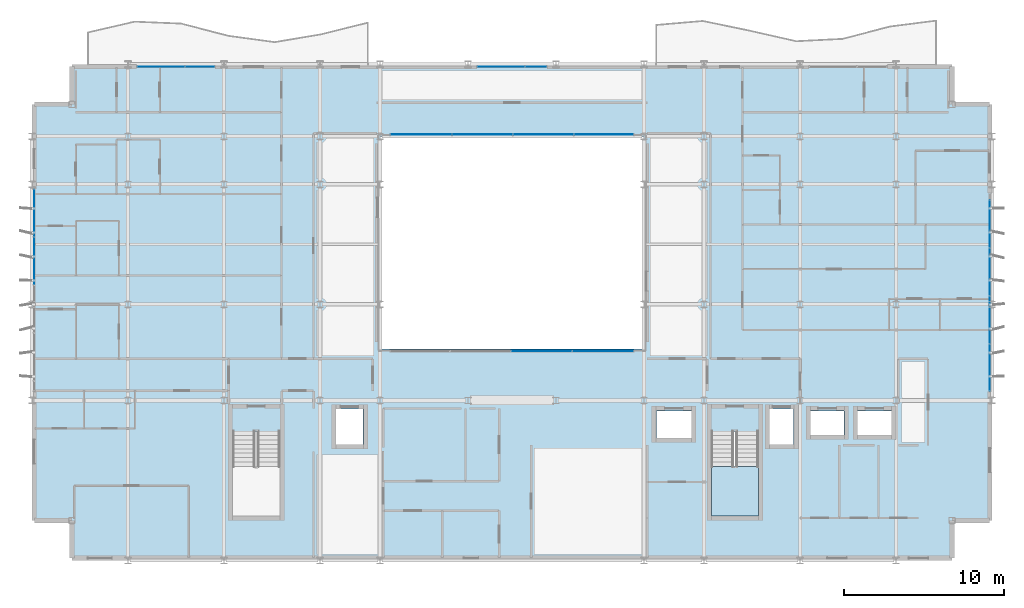
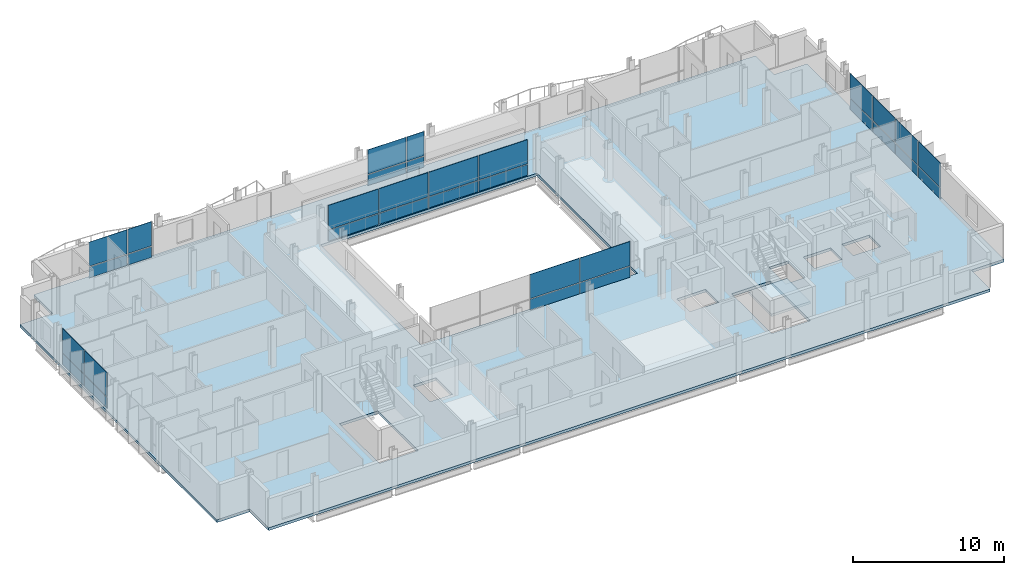
# One storey, part 25 of 40: 32 plates, 2 slabs, 7 elements without a shape of their own.
"""IFC4 building model written with IfcOpenShell, lengths in metres."""

from ifc_helpers import new_model, si_unit, direction, frame, origin, origin_2d, place, context, subcontext, project, spatial, polyline, rectangle, outline, extrude, material, layer, layer_set, type_object, element, aggregate, save


model = new_model("IFC4")

# Units and contexts
model_context = context("Model", 3, precision=1e-05, world=origin(), true_north=direction((0.0, 1.0)))
body_context = subcontext(model_context, "Body", "Model", "MODEL_VIEW")
ifc_project = project(units=[si_unit("LENGTHUNIT", "METRE"), si_unit("AREAUNIT", "SQUARE_METRE"), si_unit("VOLUMEUNIT", "CUBIC_METRE"), si_unit("PLANEANGLEUNIT", "RADIAN"), si_unit("MASSUNIT", "GRAM", prefix="KILO")], contexts=[model_context])

# Site, building, storey
site_placement = place(None, origin())
site = spatial("IfcSite", under=ifc_project, at=site_placement, CompositionType="ELEMENT")
building_placement = place(site_placement, origin())
building = spatial("IfcBuilding", under=site, at=building_placement, Name="Brevholm Reach", CompositionType="ELEMENT")
storey_placement = place(building_placement, frame((0.0, 0.0, 148.0)))
storey = spatial("IfcBuildingStorey", under=building, at=storey_placement, Name="L44", CompositionType="ELEMENT", Elevation=148.0)

# Curtain wall, plates
ifc_material_1 = material(Name="Dark Anodised Aluminium 6063-T6 and Solar-Control Glass", Category="aluminium")
ifc_layer_1 = layer(ifc_material_1, 0.14990234375)
ifc_layer_set_1 = layer_set([ifc_layer_1], Name="Dark Anodised Aluminium 6063-T6 and Solar-Control Glass")
curtain_wall_type_1 = type_object("IfcCurtainWallType", Name="CW-01", PredefinedType="NOTDEFINED", material=ifc_layer_set_1)
curtain_wall_1_placement = place(storey_placement, origin())
curtain_wall_1 = element("IfcCurtainWall", 1, at=curtain_wall_1_placement, inside=storey, type_object=curtain_wall_type_1, Name="L44 Curtain Wall CW-01", PredefinedType="NOTDEFINED")
ifc_material_2 = material(Name="Dark Solar-Control Double-Glazed IGU Glass", Category="glass")
ifc_layer_2 = layer(ifc_material_2, 0.028076171875)
ifc_layer_set_2 = layer_set([ifc_layer_2], Name="Dark Solar-Control Double-Glazed IGU Glass")
plate_type_1 = type_object("IfcPlateType", Name="CWP-GLZ-28", PredefinedType="CURTAIN_PANEL", material=ifc_layer_set_2)
plate_1_placement = place(storey_placement, frame((0.14990234375, 21.703857421875, 0.0), z_axis=(0.0, 0.0, 1.0), x_axis=(0.0, -1.0, 0.0)))
plate_1 = element("IfcPlate", 2, at=plate_1_placement, type_object=plate_type_1, Name="CP-01 Glazing Panel 1.1", PredefinedType="CURTAIN_PANEL", context=body_context, shape_type="SweptSolid", body=[
    extrude(rectangle(XDim=2.902587890625, YDim=0.028076171875, at=origin_2d()), origin(), (0.0, 0.0, 1.0), 0.867431640625),
])
plate_2_placement = place(storey_placement, frame((0.14990234375, 21.703857421875, 0.9326171875), z_axis=(0.0, 0.0, 1.0), x_axis=(0.0, -1.0, 0.0)))
plate_2 = element("IfcPlate", 3, at=plate_2_placement, type_object=plate_type_1, Name="CP-01 Glazing Panel 1.2", PredefinedType="CURTAIN_PANEL", context=body_context, shape_type="SweptSolid", body=[
    extrude(rectangle(XDim=2.902587890625, YDim=0.028076171875, at=origin_2d()), origin(), (0.0, 0.0, 1.0), 1.947509765625),
])
plate_3_placement = place(storey_placement, frame((0.14990234375, 18.719970703125, 0.0), z_axis=(0.0, 0.0, 1.0), x_axis=(0.0, -1.0, 0.0)))
plate_3 = element("IfcPlate", 4, at=plate_3_placement, type_object=plate_type_1, Name="CP-01 Glazing Panel 2.1", PredefinedType="CURTAIN_PANEL", context=body_context, shape_type="SweptSolid", body=[
    extrude(rectangle(XDim=2.93505859375, YDim=0.028076171875, at=origin_2d()), origin(), (0.0, 0.0, 1.0), 0.867431640625),
])
plate_4_placement = place(storey_placement, frame((0.14990234375, 18.719970703125, 0.9326171875), z_axis=(0.0, 0.0, 1.0), x_axis=(0.0, -1.0, 0.0)))
plate_4 = element("IfcPlate", 5, at=plate_4_placement, type_object=plate_type_1, Name="CP-01 Glazing Panel 2.2", PredefinedType="CURTAIN_PANEL", context=body_context, shape_type="SweptSolid", body=[
    extrude(rectangle(XDim=2.93505859375, YDim=0.028076171875, at=origin_2d()), origin(), (0.0, 0.0, 1.0), 1.947509765625),
])
aggregate(curtain_wall_1, [plate_1, plate_2, plate_3, plate_4])

curtain_wall_2_placement = place(storey_placement, origin())
curtain_wall_2 = element("IfcCurtainWall", 6, at=curtain_wall_2_placement, inside=storey, type_object=curtain_wall_type_1, Name="L44 Curtain Wall CW-01", PredefinedType="NOTDEFINED")
plate_5_placement = place(storey_placement, frame((59.85009765625, 12.066162109375, 0.0), z_axis=(0.0, 0.0, 1.0), x_axis=(0.0, 1.0, 0.0)))
plate_5 = element("IfcPlate", 7, at=plate_5_placement, type_object=plate_type_1, Name="CP-01 Glazing Panel 1.1", PredefinedType="CURTAIN_PANEL", context=body_context, shape_type="SweptSolid", body=[
    extrude(rectangle(XDim=2.902587890625, YDim=0.028076171875, at=origin_2d()), origin(), (0.0, 0.0, 1.0), 0.867431640625),
])
plate_6_placement = place(storey_placement, frame((59.85009765625, 12.066162109375, 0.9326171875), z_axis=(0.0, 0.0, 1.0), x_axis=(0.0, 1.0, 0.0)))
plate_6 = element("IfcPlate", 8, at=plate_6_placement, type_object=plate_type_1, Name="CP-01 Glazing Panel 1.2", PredefinedType="CURTAIN_PANEL", context=body_context, shape_type="SweptSolid", body=[
    extrude(rectangle(XDim=2.902587890625, YDim=0.028076171875, at=origin_2d()), origin(), (0.0, 0.0, 1.0), 1.947509765625),
])
plate_7_placement = place(storey_placement, frame((59.85009765625, 15.050048828125, 0.0), z_axis=(0.0, 0.0, 1.0), x_axis=(0.0, 1.0, 0.0)))
plate_7 = element("IfcPlate", 9, at=plate_7_placement, type_object=plate_type_1, Name="CP-01 Glazing Panel 2.1", PredefinedType="CURTAIN_PANEL", context=body_context, shape_type="SweptSolid", body=[
    extrude(rectangle(XDim=2.93505859375, YDim=0.028076171875, at=origin_2d()), origin(), (0.0, 0.0, 1.0), 0.867431640625),
])
plate_8_placement = place(storey_placement, frame((59.85009765625, 15.050048828125, 0.9326171875), z_axis=(0.0, 0.0, 1.0), x_axis=(0.0, 1.0, 0.0)))
plate_8 = element("IfcPlate", 10, at=plate_8_placement, type_object=plate_type_1, Name="CP-01 Glazing Panel 2.2", PredefinedType="CURTAIN_PANEL", context=body_context, shape_type="SweptSolid", body=[
    extrude(rectangle(XDim=2.93505859375, YDim=0.028076171875, at=origin_2d()), origin(), (0.0, 0.0, 1.0), 1.947509765625),
])
plate_9_placement = place(storey_placement, frame((59.85009765625, 18.050048828125, 0.0), z_axis=(0.0, 0.0, 1.0), x_axis=(0.0, 1.0, 0.0)))
plate_9 = element("IfcPlate", 11, at=plate_9_placement, type_object=plate_type_1, Name="CP-01 Glazing Panel 3.1", PredefinedType="CURTAIN_PANEL", context=body_context, shape_type="SweptSolid", body=[
    extrude(rectangle(XDim=2.93505859375, YDim=0.028076171875, at=origin_2d()), origin(), (0.0, 0.0, 1.0), 0.867431640625),
])
plate_10_placement = place(storey_placement, frame((59.85009765625, 18.050048828125, 0.9326171875), z_axis=(0.0, 0.0, 1.0), x_axis=(0.0, 1.0, 0.0)))
plate_10 = element("IfcPlate", 12, at=plate_10_placement, type_object=plate_type_1, Name="CP-01 Glazing Panel 3.2", PredefinedType="CURTAIN_PANEL", context=body_context, shape_type="SweptSolid", body=[
    extrude(rectangle(XDim=2.93505859375, YDim=0.028076171875, at=origin_2d()), origin(), (0.0, 0.0, 1.0), 1.947509765625),
])
plate_11_placement = place(storey_placement, frame((59.85009765625, 21.050048828125, 0.0), z_axis=(0.0, 0.0, 1.0), x_axis=(0.0, 1.0, 0.0)))
plate_11 = element("IfcPlate", 13, at=plate_11_placement, type_object=plate_type_1, Name="CP-01 Glazing Panel 4.1", PredefinedType="CURTAIN_PANEL", context=body_context, shape_type="SweptSolid", body=[
    extrude(rectangle(XDim=2.93505859375, YDim=0.028076171875, at=origin_2d()), origin(), (0.0, 0.0, 1.0), 0.867431640625),
])
plate_12_placement = place(storey_placement, frame((59.85009765625, 21.050048828125, 0.9326171875), z_axis=(0.0, 0.0, 1.0), x_axis=(0.0, 1.0, 0.0)))
plate_12 = element("IfcPlate", 14, at=plate_12_placement, type_object=plate_type_1, Name="CP-01 Glazing Panel 4.2", PredefinedType="CURTAIN_PANEL", context=body_context, shape_type="SweptSolid", body=[
    extrude(rectangle(XDim=2.93505859375, YDim=0.028076171875, at=origin_2d()), origin(), (0.0, 0.0, 1.0), 1.947509765625),
])
aggregate(curtain_wall_2, [plate_5, plate_6, plate_7, plate_8, plate_9, plate_10, plate_11, plate_12])

curtain_wall_3_placement = place(storey_placement, origin())
curtain_wall_3 = element("IfcCurtainWall", 15, at=curtain_wall_3_placement, inside=storey, type_object=curtain_wall_type_1, Name="L44 Curtain Wall CW-01", PredefinedType="NOTDEFINED")
plate_13_placement = place(storey_placement, frame((8.066162109375, 30.85009765625, 0.0), z_axis=(0.0, 0.0, 1.0), x_axis=(1.0, 0.0, 0.0)))
plate_13 = element("IfcPlate", 16, at=plate_13_placement, type_object=plate_type_1, Name="CP-01 Glazing Panel 1.1", PredefinedType="CURTAIN_PANEL", context=body_context, shape_type="SweptSolid", body=[
    extrude(rectangle(XDim=2.902587890625, YDim=0.028076171875, at=origin_2d()), origin(), (0.0, 0.0, 1.0), 0.867431640625),
])
plate_14_placement = place(storey_placement, frame((8.066162109375, 30.85009765625, 0.9326171875), z_axis=(0.0, 0.0, 1.0), x_axis=(1.0, 0.0, 0.0)))
plate_14 = element("IfcPlate", 17, at=plate_14_placement, type_object=plate_type_1, Name="CP-01 Glazing Panel 1.2", PredefinedType="CURTAIN_PANEL", context=body_context, shape_type="SweptSolid", body=[
    extrude(rectangle(XDim=2.902587890625, YDim=0.028076171875, at=origin_2d()), origin(), (0.0, 0.0, 1.0), 1.947509765625),
])
plate_15_placement = place(storey_placement, frame((10.483642578125, 30.85009765625, 0.0), z_axis=(0.0, 0.0, 1.0), x_axis=(1.0, 0.0, 0.0)))
plate_15 = element("IfcPlate", 18, at=plate_15_placement, type_object=plate_type_1, Name="CP-01 Glazing Panel 2.1", PredefinedType="CURTAIN_PANEL", context=body_context, shape_type="SweptSolid", body=[
    extrude(rectangle(XDim=1.802490234375, YDim=0.028076171875, at=origin_2d()), origin(), (0.0, 0.0, 1.0), 0.867431640625),
])
plate_16_placement = place(storey_placement, frame((10.483642578125, 30.85009765625, 0.9326171875), z_axis=(0.0, 0.0, 1.0), x_axis=(1.0, 0.0, 0.0)))
plate_16 = element("IfcPlate", 19, at=plate_16_placement, type_object=plate_type_1, Name="CP-01 Glazing Panel 2.2", PredefinedType="CURTAIN_PANEL", context=body_context, shape_type="SweptSolid", body=[
    extrude(rectangle(XDim=1.802490234375, YDim=0.028076171875, at=origin_2d()), origin(), (0.0, 0.0, 1.0), 1.947509765625),
])
aggregate(curtain_wall_3, [plate_13, plate_14, plate_15, plate_16])

curtain_wall_4_placement = place(storey_placement, origin())
curtain_wall_4 = element("IfcCurtainWall", 20, at=curtain_wall_4_placement, inside=storey, type_object=curtain_wall_type_1, Name="L44 Curtain Wall CW-01", PredefinedType="NOTDEFINED")
plate_17_placement = place(storey_placement, frame((29.316162109375, 30.85009765625, 0.0), z_axis=(0.0, 0.0, 1.0), x_axis=(1.0, 0.0, 0.0)))
plate_17 = element("IfcPlate", 21, at=plate_17_placement, type_object=plate_type_1, Name="CP-01 Glazing Panel 1.1", PredefinedType="CURTAIN_PANEL", context=body_context, shape_type="SweptSolid", body=[
    extrude(rectangle(XDim=2.902587890625, YDim=0.028076171875, at=origin_2d()), origin(), (0.0, 0.0, 1.0), 0.867431640625),
])
plate_18_placement = place(storey_placement, frame((29.316162109375, 30.85009765625, 0.9326171875), z_axis=(0.0, 0.0, 1.0), x_axis=(1.0, 0.0, 0.0)))
plate_18 = element("IfcPlate", 22, at=plate_18_placement, type_object=plate_type_1, Name="CP-01 Glazing Panel 1.2", PredefinedType="CURTAIN_PANEL", context=body_context, shape_type="SweptSolid", body=[
    extrude(rectangle(XDim=2.902587890625, YDim=0.028076171875, at=origin_2d()), origin(), (0.0, 0.0, 1.0), 1.947509765625),
])
plate_19_placement = place(storey_placement, frame((31.483642578125, 30.85009765625, 0.0), z_axis=(0.0, 0.0, 1.0), x_axis=(1.0, 0.0, 0.0)))
plate_19 = element("IfcPlate", 23, at=plate_19_placement, type_object=plate_type_1, Name="CP-01 Glazing Panel 2.1", PredefinedType="CURTAIN_PANEL", context=body_context, shape_type="SweptSolid", body=[
    extrude(rectangle(XDim=1.302490234375, YDim=0.028076171875, at=origin_2d()), origin(), (0.0, 0.0, 1.0), 0.867431640625),
])
plate_20_placement = place(storey_placement, frame((31.483642578125, 30.85009765625, 0.9326171875), z_axis=(0.0, 0.0, 1.0), x_axis=(1.0, 0.0, 0.0)))
plate_20 = element("IfcPlate", 24, at=plate_20_placement, type_object=plate_type_1, Name="CP-01 Glazing Panel 2.2", PredefinedType="CURTAIN_PANEL", context=body_context, shape_type="SweptSolid", body=[
    extrude(rectangle(XDim=1.302490234375, YDim=0.028076171875, at=origin_2d()), origin(), (0.0, 0.0, 1.0), 1.947509765625),
])
aggregate(curtain_wall_4, [plate_17, plate_18, plate_19, plate_20])

ifc_material_3 = material(Name="Dark Anodised Aluminium 6063-T6 and Solar-Control Glass", Category="aluminium")
ifc_layer_3 = layer(ifc_material_3, 0.139892578125)
ifc_layer_set_3 = layer_set([ifc_layer_3], Name="Dark Anodised Aluminium 6063-T6 and Solar-Control Glass")
curtain_wall_type_2 = type_object("IfcCurtainWallType", Name="CW-02", PredefinedType="NOTDEFINED", material=ifc_layer_set_3)
curtain_wall_5_placement = place(storey_placement, origin())
curtain_wall_5 = element("IfcCurtainWall", 25, at=curtain_wall_5_placement, inside=storey, type_object=curtain_wall_type_2, Name="L44 Curtain Wall CW-02", PredefinedType="NOTDEFINED")
ifc_material_4 = material(Name="Low-Iron Laminated Acoustic Glass", Category="glass")
ifc_layer_4 = layer(ifc_material_4, 0.035888671875)
ifc_layer_set_4 = layer_set([ifc_layer_4], Name="Low-Iron Laminated Acoustic Glass")
plate_type_2 = type_object("IfcPlateType", Name="CWP-GLZ-36", PredefinedType="CURTAIN_PANEL", material=ifc_layer_set_4)
plate_21_placement = place(storey_placement, frame((31.85009765625, 13.080078125, 0.0), z_axis=(0.0, 0.0, 1.0), x_axis=(1.0, 0.0, 0.0)))
plate_21 = element("IfcPlate", 26, at=plate_21_placement, type_object=plate_type_2, Name="CP-02 Glazing Panel 3.1", PredefinedType="CURTAIN_PANEL", context=body_context, shape_type="SweptSolid", body=[
    extrude(rectangle(XDim=3.739990234375, YDim=0.035888671875, at=origin_2d()), origin(), (0.0, 0.0, 1.0), 0.8701171875),
])
plate_22_placement = place(storey_placement, frame((31.85009765625, 13.080078125, 0.93017578125), z_axis=(0.0, 0.0, 1.0), x_axis=(1.0, 0.0, 0.0)))
plate_22 = element("IfcPlate", 27, at=plate_22_placement, type_object=plate_type_2, Name="CP-02 Glazing Panel 3.2", PredefinedType="CURTAIN_PANEL", context=body_context, shape_type="SweptSolid", body=[
    extrude(rectangle(XDim=3.739990234375, YDim=0.035888671875, at=origin_2d()), origin(), (0.0, 0.0, 1.0), 1.949951171875),
])
plate_23_placement = place(storey_placement, frame((35.68505859375, 13.080078125, 0.0), z_axis=(0.0, 0.0, 1.0), x_axis=(1.0, 0.0, 0.0)))
plate_23 = element("IfcPlate", 28, at=plate_23_placement, type_object=plate_type_2, Name="CP-02 Glazing Panel 4.1", PredefinedType="CURTAIN_PANEL", context=body_context, shape_type="SweptSolid", body=[
    extrude(rectangle(XDim=3.81005859375, YDim=0.035888671875, at=origin_2d()), origin(), (0.0, 0.0, 1.0), 0.8701171875),
])
plate_24_placement = place(storey_placement, frame((35.68505859375, 13.080078125, 0.93017578125), z_axis=(0.0, 0.0, 1.0), x_axis=(1.0, 0.0, 0.0)))
plate_24 = element("IfcPlate", 29, at=plate_24_placement, type_object=plate_type_2, Name="CP-02 Glazing Panel 4.2", PredefinedType="CURTAIN_PANEL", context=body_context, shape_type="SweptSolid", body=[
    extrude(rectangle(XDim=3.81005859375, YDim=0.035888671875, at=origin_2d()), origin(), (0.0, 0.0, 1.0), 1.949951171875),
])
aggregate(curtain_wall_5, [plate_21, plate_22, plate_23, plate_24])

curtain_wall_6_placement = place(storey_placement, origin())
curtain_wall_6 = element("IfcCurtainWall", 30, at=curtain_wall_6_placement, inside=storey, type_object=curtain_wall_type_2, Name="L44 Curtain Wall CW-02", PredefinedType="NOTDEFINED")
plate_25_placement = place(storey_placement, frame((35.735107421875, 26.6201171875, 0.0), z_axis=(0.0, 0.0, 1.0), x_axis=(-1.0, 0.0, 0.0)))
plate_25 = element("IfcPlate", 31, at=plate_25_placement, type_object=plate_type_2, Name="CP-02 Glazing Panel 1.1", PredefinedType="CURTAIN_PANEL", context=body_context, shape_type="SweptSolid", body=[
    extrude(rectangle(XDim=3.7099609375, YDim=0.035888671875, at=origin_2d()), origin(), (0.0, 0.0, 1.0), 0.8701171875),
])
plate_26_placement = place(storey_placement, frame((35.735107421875, 26.6201171875, 0.93017578125), z_axis=(0.0, 0.0, 1.0), x_axis=(-1.0, 0.0, 0.0)))
plate_26 = element("IfcPlate", 32, at=plate_26_placement, type_object=plate_type_2, Name="CP-02 Glazing Panel 1.2", PredefinedType="CURTAIN_PANEL", context=body_context, shape_type="SweptSolid", body=[
    extrude(rectangle(XDim=3.7099609375, YDim=0.035888671875, at=origin_2d()), origin(), (0.0, 0.0, 1.0), 1.949951171875),
])
plate_27_placement = place(storey_placement, frame((31.949951171875, 26.6201171875, 0.0), z_axis=(0.0, 0.0, 1.0), x_axis=(-1.0, 0.0, 0.0)))
plate_27 = element("IfcPlate", 33, at=plate_27_placement, type_object=plate_type_2, Name="CP-02 Glazing Panel 2.1", PredefinedType="CURTAIN_PANEL", context=body_context, shape_type="SweptSolid", body=[
    extrude(rectangle(XDim=3.739990234375, YDim=0.035888671875, at=origin_2d()), origin(), (0.0, 0.0, 1.0), 0.8701171875),
])
plate_28_placement = place(storey_placement, frame((31.949951171875, 26.6201171875, 0.93017578125), z_axis=(0.0, 0.0, 1.0), x_axis=(-1.0, 0.0, 0.0)))
plate_28 = element("IfcPlate", 34, at=plate_28_placement, type_object=plate_type_2, Name="CP-02 Glazing Panel 2.2", PredefinedType="CURTAIN_PANEL", context=body_context, shape_type="SweptSolid", body=[
    extrude(rectangle(XDim=3.739990234375, YDim=0.035888671875, at=origin_2d()), origin(), (0.0, 0.0, 1.0), 1.949951171875),
])
plate_29_placement = place(storey_placement, frame((28.14990234375, 26.6201171875, 0.0), z_axis=(0.0, 0.0, 1.0), x_axis=(-1.0, 0.0, 0.0)))
plate_29 = element("IfcPlate", 35, at=plate_29_placement, type_object=plate_type_2, Name="CP-02 Glazing Panel 3.1", PredefinedType="CURTAIN_PANEL", context=body_context, shape_type="SweptSolid", body=[
    extrude(rectangle(XDim=3.739990234375, YDim=0.035888671875, at=origin_2d()), origin(), (0.0, 0.0, 1.0), 0.8701171875),
])
plate_30_placement = place(storey_placement, frame((28.14990234375, 26.6201171875, 0.93017578125), z_axis=(0.0, 0.0, 1.0), x_axis=(-1.0, 0.0, 0.0)))
plate_30 = element("IfcPlate", 36, at=plate_30_placement, type_object=plate_type_2, Name="CP-02 Glazing Panel 3.2", PredefinedType="CURTAIN_PANEL", context=body_context, shape_type="SweptSolid", body=[
    extrude(rectangle(XDim=3.739990234375, YDim=0.035888671875, at=origin_2d()), origin(), (0.0, 0.0, 1.0), 1.949951171875),
])
plate_31_placement = place(storey_placement, frame((24.31494140625, 26.6201171875, 0.0), z_axis=(0.0, 0.0, 1.0), x_axis=(-1.0, 0.0, 0.0)))
plate_31 = element("IfcPlate", 37, at=plate_31_placement, type_object=plate_type_2, Name="CP-02 Glazing Panel 4.1", PredefinedType="CURTAIN_PANEL", context=body_context, shape_type="SweptSolid", body=[
    extrude(rectangle(XDim=3.81005859375, YDim=0.035888671875, at=origin_2d()), origin(), (0.0, 0.0, 1.0), 0.8701171875),
])
plate_32_placement = place(storey_placement, frame((24.31494140625, 26.6201171875, 0.93017578125), z_axis=(0.0, 0.0, 1.0), x_axis=(-1.0, 0.0, 0.0)))
plate_32 = element("IfcPlate", 38, at=plate_32_placement, type_object=plate_type_2, Name="CP-02 Glazing Panel 4.2", PredefinedType="CURTAIN_PANEL", context=body_context, shape_type="SweptSolid", body=[
    extrude(rectangle(XDim=3.81005859375, YDim=0.035888671875, at=origin_2d()), origin(), (0.0, 0.0, 1.0), 1.949951171875),
])
aggregate(curtain_wall_6, [plate_25, plate_26, plate_27, plate_28, plate_29, plate_30, plate_31, plate_32])

# Slab
ifc_material_5 = material(Name="Concrete C40/50", Category="concrete")
ifc_layer_5 = layer(ifc_material_5, 0.219970703125)
ifc_layer_set_5 = layer_set([ifc_layer_5], Name="Concrete C40/50")
slab_type_1 = type_object("IfcSlabType", Name="SLB-FL-220", PredefinedType="FLOOR", material=ifc_layer_set_5)
slab_1_placement = place(storey_placement, frame((0.0, 0.0, -0.219970703125)))
element("IfcSlab", 39, at=slab_1_placement, inside=storey, type_object=slab_type_1, Name="L44 Suspended Floor Slab (main)", PredefinedType="FLOOR", context=body_context, shape_type="SweptSolid", body=[
    extrude(outline(polyline([(2.5, 0.0), (57.5, 0.0), (57.5, 2.5), (60.0, 2.5), (60.0, 28.5), (57.5, 28.5), (57.5, 31.0), (2.5, 31.0), (2.5, 28.5), (0.0, 28.5), (0.0, 2.5), (2.5, 2.5), (2.5, 0.0)]), holes=[polyline([(21.75, 13.199951171875), (38.25, 13.199951171875), (38.25, 26.5), (21.75, 26.5), (21.75, 13.199951171875)]), polyline([(12.550048828125, 2.780029296875), (15.5, 2.780029296875), (15.5, 8.044921875), (12.550048828125, 8.044921875), (12.550048828125, 2.780029296875)]), polyline([(42.449951171875, 2.780029296875), (45.39990234375, 2.780029296875), (45.39990234375, 8.044921875), (42.449951171875, 8.044921875), (42.449951171875, 2.780029296875)]), polyline([(19.0, 7.25), (20.699951171875, 7.25), (20.699951171875, 9.449951171875), (19.0, 9.449951171875), (19.0, 7.25)]), polyline([(46.10009765625, 7.25), (47.60009765625, 7.25), (47.60009765625, 9.449951171875), (46.10009765625, 9.449951171875), (46.10009765625, 7.25)]), polyline([(39.02001953125, 7.64990234375), (41.219970703125, 7.64990234375), (41.219970703125, 9.35009765625), (39.02001953125, 9.35009765625), (39.02001953125, 7.64990234375)]), polyline([(48.64990234375, 7.85009765625), (50.75, 7.85009765625), (50.75, 9.35009765625), (48.64990234375, 9.35009765625), (48.64990234375, 7.85009765625)]), polyline([(51.60009765625, 7.85009765625), (53.699951171875, 7.85009765625), (53.699951171875, 9.35009765625), (51.60009765625, 9.35009765625), (51.60009765625, 7.85009765625)])]), origin(), (0.0, 0.0, 1.0), 0.219970703125),
])

# Stair, slab
ifc_material_6 = material(Name="Precast Concrete C40/50", Category="concrete")
stair_type = type_object("IfcStairType", Name="STR-ESC-1400", PredefinedType="DOUBLE_RETURN_STAIR", material=ifc_material_6)
stair_placement = place(storey_placement, origin())
stair = element("IfcStair", 40, at=stair_placement, inside=storey, type_object=stair_type, Name="L44 ST-2", PredefinedType="DOUBLE_RETURN_STAIR")
ifc_material_7 = material(Name="Concrete C40/50", Category="concrete")
ifc_layer_6 = layer(ifc_material_7, 0.199951171875)
ifc_layer_set_6 = layer_set([ifc_layer_6], Name="Concrete C40/50")
slab_type_2 = type_object("IfcSlabType", Name="SLB-LND-200", PredefinedType="LANDING", material=ifc_layer_set_6)
slab_2_placement = place(storey_placement, frame((0.0, 0.0, 1.35009765625)))
slab_2 = element("IfcSlab", 41, at=slab_2_placement, type_object=slab_type_2, Name="ST-2 landing 1", PredefinedType="LANDING", context=body_context, shape_type="SweptSolid", body=[
    extrude(outline(polyline([(42.449951171875, 5.860107421875), (42.449951171875, 2.780029296875), (45.39990234375, 2.780029296875), (45.39990234375, 5.860107421875), (42.449951171875, 5.860107421875)])), origin(), (0.0, 0.0, 1.0), 0.199951171875),
])
aggregate(stair, [slab_2])

save(model, "model.ifc")
